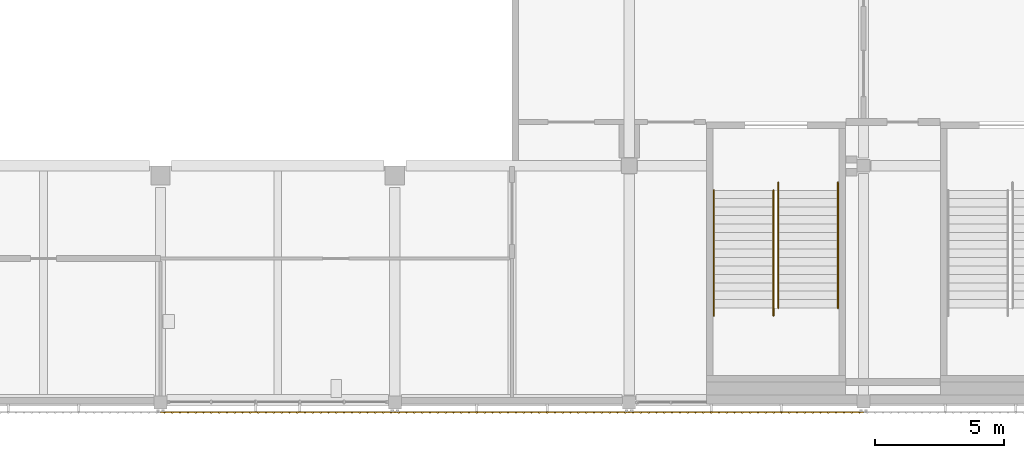
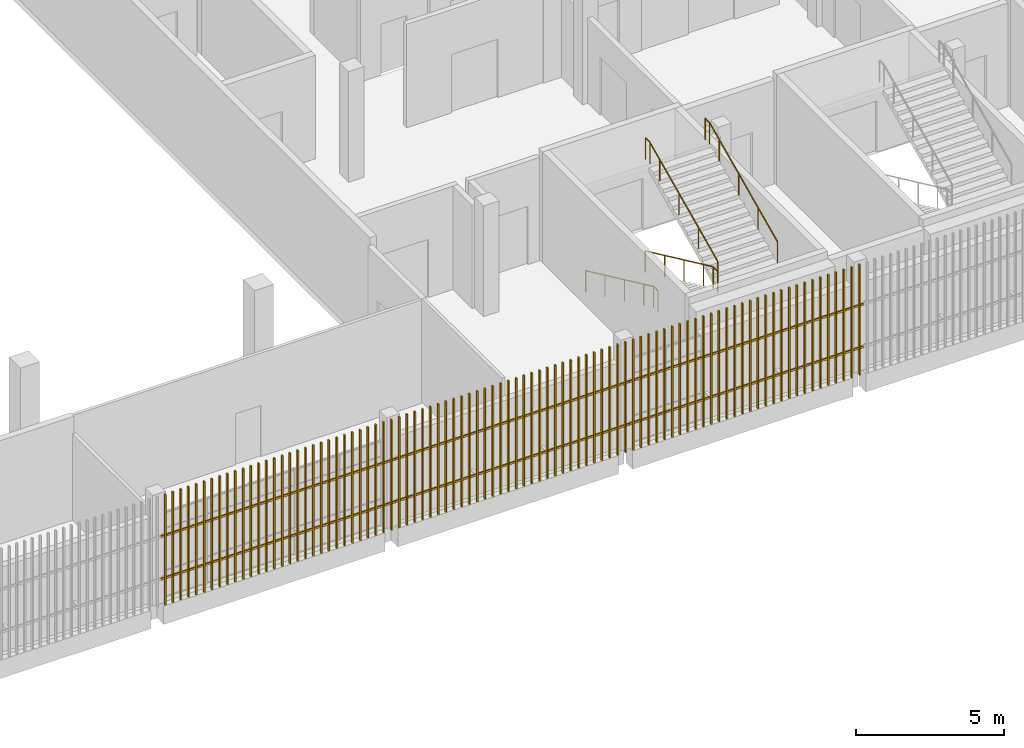
# One storey, part 108 of 124: 4 railings, 3 shading devices.
"""IFC4 building model written with IfcOpenShell, lengths in metres."""

from ifc_helpers import new_model, si_unit, direction, frame, origin, origin_2d, place, context, subcontext, project, spatial, rectangle, circle, extrude, material, type_object, element, save


model = new_model("IFC4")

# Units and contexts
model_context = context("Model", 3, precision=1e-05, world=origin(), true_north=direction((0.0, 1.0)))
body_context = subcontext(model_context, "Body", "Model", "MODEL_VIEW")
ifc_project = project(units=[si_unit("LENGTHUNIT", "METRE"), si_unit("AREAUNIT", "SQUARE_METRE"), si_unit("VOLUMEUNIT", "CUBIC_METRE"), si_unit("PLANEANGLEUNIT", "RADIAN"), si_unit("MASSUNIT", "GRAM", prefix="KILO")], contexts=[model_context])

# Site, building, storey
site_placement = place(None, origin())
site = spatial("IfcSite", under=ifc_project, at=site_placement, CompositionType="ELEMENT")
building_placement = place(site_placement, origin())
building = spatial("IfcBuilding", under=site, at=building_placement, Name="Shirokan Park Arena", CompositionType="ELEMENT")
storey_placement = place(building_placement, frame((0.0, 0.0, 20.02001953125)))
storey = spatial("IfcBuildingStorey", under=building, at=storey_placement, Name="L04", CompositionType="ELEMENT", Elevation=20.02001953125)

# Railings
ifc_material_1 = material(Name="Stainless steel", Category="steel")
railing_type = type_object("IfcRailingType", Name="Stair handrail 900", PredefinedType="HANDRAIL", material=ifc_material_1)
railing_1_placement = place(storey_placement, frame((112.489990234375, 8.14990234375, 0.151611328125)))
element("IfcRailing", 1, at=railing_1_placement, inside=storey, type_object=railing_type, Name="Handrail Exit Stair 2.D L04 to L05", PredefinedType="HANDRAIL", context=body_context, shape_type="SweptSolid", body=[
    extrude(circle(Radius=0.02392578125, at=origin_2d()), frame((0.0, 0.0, 0.8759765625), z_axis=(0.0, -0.906999720516, 0.421131222998), x_axis=(1.0, 0.0, 0.0)), (0.0, 0.0, 1.0), 1.440673828125),
    extrude(circle(Radius=0.02392578125, at=origin_2d()), frame((0.0, -1.306640625, 1.482421875), z_axis=(0.0, -0.907029769225, 0.421066500378), x_axis=(1.0, 0.0, 0.0)), (0.0, 0.0, 1.0), 1.44091796875),
    extrude(circle(Radius=0.02392578125, at=origin_2d()), frame((0.0, -2.613525390625, 2.08935546875), z_axis=(0.0, -0.907029769225, 0.421066500378), x_axis=(1.0, 0.0, 0.0)), (0.0, 0.0, 1.0), 1.44091796875),
    extrude(circle(Radius=0.02392578125, at=origin_2d()), frame((0.0, -3.92041015625, 2.69580078125), z_axis=(0.0, -0.907064445915, 0.420991794405), x_axis=(1.0, 0.0, 0.0)), (0.0, 0.0, 1.0), 0.72021484375),
    extrude(circle(Radius=0.02392578125, at=origin_2d()), frame((0.0, -4.57373046875, 2.9990234375), z_axis=(0.0, -1.0, 0.0), x_axis=(1.0, 0.0, 0.0)), (0.0, 0.0, 1.0), 0.300048828125),
    extrude(circle(Radius=0.02099609375, at=origin_2d()), origin(), (0.0, 0.0, 1.0), 0.851806640625),
    extrude(circle(Radius=0.02099609375, at=origin_2d()), frame((0.0, -1.306640625, 0.606689453125)), (0.0, 0.0, 1.0), 0.851806640625),
    extrude(circle(Radius=0.02099609375, at=origin_2d()), frame((0.0, -2.613525390625, 1.21337890625)), (0.0, 0.0, 1.0), 0.851806640625),
    extrude(circle(Radius=0.02099609375, at=origin_2d()), frame((0.0, -3.92041015625, 1.820068359375)), (0.0, 0.0, 1.0), 0.851806640625),
    extrude(circle(Radius=0.02099609375, at=origin_2d()), frame((0.0, -4.57373046875, 2.123291015625)), (0.0, 0.0, 1.0), 0.851806640625),
    extrude(circle(Radius=0.02099609375, at=origin_2d()), frame((0.0, -4.873779296875, 2.123291015625)), (0.0, 0.0, 1.0), 0.851806640625),
])
railing_2_placement = place(storey_placement, frame((114.81005859375, 8.14990234375, 0.151611328125)))
element("IfcRailing", 2, at=railing_2_placement, inside=storey, type_object=railing_type, Name="Handrail Exit Stair 2.D L04 to L05", PredefinedType="HANDRAIL", context=body_context, shape_type="SweptSolid", body=[
    extrude(circle(Radius=0.02392578125, at=origin_2d()), frame((0.0, 0.0, 0.8759765625), z_axis=(0.0, -0.906999720516, 0.421131222998), x_axis=(1.0, 0.0, 0.0)), (0.0, 0.0, 1.0), 1.440673828125),
    extrude(circle(Radius=0.02392578125, at=origin_2d()), frame((0.0, -1.306640625, 1.482421875), z_axis=(0.0, -0.907029769225, 0.421066500378), x_axis=(1.0, 0.0, 0.0)), (0.0, 0.0, 1.0), 1.44091796875),
    extrude(circle(Radius=0.02392578125, at=origin_2d()), frame((0.0, -2.613525390625, 2.08935546875), z_axis=(0.0, -0.907029769225, 0.421066500378), x_axis=(1.0, 0.0, 0.0)), (0.0, 0.0, 1.0), 1.44091796875),
    extrude(circle(Radius=0.02392578125, at=origin_2d()), frame((0.0, -3.92041015625, 2.69580078125), z_axis=(0.0, -0.907064445915, 0.420991794405), x_axis=(1.0, 0.0, 0.0)), (0.0, 0.0, 1.0), 0.72021484375),
    extrude(circle(Radius=0.02392578125, at=origin_2d()), frame((0.0, -4.57373046875, 2.9990234375), z_axis=(0.0, -1.0, 0.0), x_axis=(1.0, 0.0, 0.0)), (0.0, 0.0, 1.0), 0.300048828125),
    extrude(circle(Radius=0.02099609375, at=origin_2d()), origin(), (0.0, 0.0, 1.0), 0.851806640625),
    extrude(circle(Radius=0.02099609375, at=origin_2d()), frame((0.0, -1.306640625, 0.606689453125)), (0.0, 0.0, 1.0), 0.851806640625),
    extrude(circle(Radius=0.02099609375, at=origin_2d()), frame((0.0, -2.613525390625, 1.21337890625)), (0.0, 0.0, 1.0), 0.851806640625),
    extrude(circle(Radius=0.02099609375, at=origin_2d()), frame((0.0, -3.92041015625, 1.820068359375)), (0.0, 0.0, 1.0), 0.851806640625),
    extrude(circle(Radius=0.02099609375, at=origin_2d()), frame((0.0, -4.57373046875, 2.123291015625)), (0.0, 0.0, 1.0), 0.851806640625),
    extrude(circle(Radius=0.02099609375, at=origin_2d()), frame((0.0, -4.873779296875, 2.123291015625)), (0.0, 0.0, 1.0), 0.851806640625),
])
railing_3_placement = place(storey_placement, frame((114.989990234375, 3.576171875, 2.4267578125)))
element("IfcRailing", 3, at=railing_3_placement, inside=storey, type_object=railing_type, Name="Handrail Exit Stair 2.D L04 to L05", PredefinedType="HANDRAIL", context=body_context, shape_type="SweptSolid", body=[
    extrude(circle(Radius=0.02392578125, at=origin_2d()), frame((0.0, 0.0, 0.8759765625), z_axis=(0.0, 0.907094476872, 0.420927083981), x_axis=(-1.0, 0.0, 0.0)), (0.0, 0.0, 1.0), 1.440673828125),
    extrude(circle(Radius=0.02392578125, at=origin_2d()), frame((0.0, 1.306884765625, 1.482421875), z_axis=(0.0, 0.906999720516, 0.421131222998), x_axis=(-1.0, 0.0, 0.0)), (0.0, 0.0, 1.0), 1.440673828125),
    extrude(circle(Radius=0.02392578125, at=origin_2d()), frame((0.0, 2.613525390625, 2.0888671875), z_axis=(0.0, 0.907029769225, 0.421066500378), x_axis=(-1.0, 0.0, 0.0)), (0.0, 0.0, 1.0), 1.44091796875),
    extrude(circle(Radius=0.02392578125, at=origin_2d()), frame((0.0, 3.92041015625, 2.69580078125), z_axis=(0.0, 0.906934982928, 0.421270621741), x_axis=(-1.0, 0.0, 0.0)), (0.0, 0.0, 1.0), 0.720458984375),
    extrude(circle(Radius=0.02392578125, at=origin_2d()), frame((0.0, 4.57373046875, 2.9990234375), z_axis=(0.0, 1.0, 0.0), x_axis=(-1.0, 0.0, 0.0)), (0.0, 0.0, 1.0), 0.300048828125),
    extrude(circle(Radius=0.02099609375, at=origin_2d()), origin(), (0.0, 0.0, 1.0), 0.851806640625),
    extrude(circle(Radius=0.02099609375, at=origin_2d()), frame((0.0, 1.306884765625, 0.6064453125)), (0.0, 0.0, 1.0), 0.851806640625),
    extrude(circle(Radius=0.02099609375, at=origin_2d()), frame((0.0, 2.613525390625, 1.213134765625)), (0.0, 0.0, 1.0), 0.851806640625),
    extrude(circle(Radius=0.02099609375, at=origin_2d()), frame((0.0, 3.92041015625, 1.81982421875)), (0.0, 0.0, 1.0), 0.851806640625),
    extrude(circle(Radius=0.02099609375, at=origin_2d()), frame((0.0, 4.57373046875, 2.123291015625)), (0.0, 0.0, 1.0), 0.851806640625),
    extrude(circle(Radius=0.02099609375, at=origin_2d()), frame((0.0, 4.873779296875, 2.123291015625)), (0.0, 0.0, 1.0), 0.851806640625),
])
railing_4_placement = place(storey_placement, frame((117.31005859375, 3.576171875, 2.4267578125)))
element("IfcRailing", 4, at=railing_4_placement, inside=storey, type_object=railing_type, Name="Handrail Exit Stair 2.D L04 to L05", PredefinedType="HANDRAIL", context=body_context, shape_type="SweptSolid", body=[
    extrude(circle(Radius=0.02392578125, at=origin_2d()), frame((0.0, 0.0, 0.8759765625), z_axis=(0.0, 0.907094476872, 0.420927083981), x_axis=(-1.0, 0.0, 0.0)), (0.0, 0.0, 1.0), 1.440673828125),
    extrude(circle(Radius=0.02392578125, at=origin_2d()), frame((0.0, 1.306884765625, 1.482421875), z_axis=(0.0, 0.906999720516, 0.421131222998), x_axis=(-1.0, 0.0, 0.0)), (0.0, 0.0, 1.0), 1.440673828125),
    extrude(circle(Radius=0.02392578125, at=origin_2d()), frame((0.0, 2.613525390625, 2.0888671875), z_axis=(0.0, 0.907029769225, 0.421066500378), x_axis=(-1.0, 0.0, 0.0)), (0.0, 0.0, 1.0), 1.44091796875),
    extrude(circle(Radius=0.02392578125, at=origin_2d()), frame((0.0, 3.92041015625, 2.69580078125), z_axis=(0.0, 0.906934982928, 0.421270621741), x_axis=(-1.0, 0.0, 0.0)), (0.0, 0.0, 1.0), 0.720458984375),
    extrude(circle(Radius=0.02392578125, at=origin_2d()), frame((0.0, 4.57373046875, 2.9990234375), z_axis=(0.0, 1.0, 0.0), x_axis=(-1.0, 0.0, 0.0)), (0.0, 0.0, 1.0), 0.300048828125),
    extrude(circle(Radius=0.02099609375, at=origin_2d()), origin(), (0.0, 0.0, 1.0), 0.851806640625),
    extrude(circle(Radius=0.02099609375, at=origin_2d()), frame((0.0, 1.306884765625, 0.6064453125)), (0.0, 0.0, 1.0), 0.851806640625),
    extrude(circle(Radius=0.02099609375, at=origin_2d()), frame((0.0, 2.613525390625, 1.213134765625)), (0.0, 0.0, 1.0), 0.851806640625),
    extrude(circle(Radius=0.02099609375, at=origin_2d()), frame((0.0, 3.92041015625, 1.81982421875)), (0.0, 0.0, 1.0), 0.851806640625),
    extrude(circle(Radius=0.02099609375, at=origin_2d()), frame((0.0, 4.57373046875, 2.123291015625)), (0.0, 0.0, 1.0), 0.851806640625),
    extrude(circle(Radius=0.02099609375, at=origin_2d()), frame((0.0, 4.873779296875, 2.123291015625)), (0.0, 0.0, 1.0), 0.851806640625),
])

# Shading devices
ifc_material_2 = material(Name="Timber louvre veil (cedar)", Category="wood")
shading_device_type = type_object("IfcShadingDeviceType", Name="Timber louvre veil panel", PredefinedType="JALOUSIE", material=ifc_material_2)
shading_device_1_placement = place(storey_placement, origin())
element("IfcShadingDevice", 5, at=shading_device_1_placement, inside=storey, type_object=shading_device_type, Name="Timber louvre veil south bay 11 L04", PredefinedType="JALOUSIE", context=body_context, shape_type="SweptSolid", body=[
    extrude(rectangle(XDim=0.050048828125, YDim=0.080078125, at=origin_2d()), frame((91.151611328125, -0.485107421875, 0.0), z_axis=(0.0, 0.0, 1.0), x_axis=(1.0, 0.0, 0.0)), (0.0, 0.0, 1.0), 4.550048828125),
    extrude(rectangle(XDim=0.050048828125, YDim=0.080078125, at=origin_2d()), frame((91.455078125, -0.485107421875, 0.0), z_axis=(0.0, 0.0, 1.0), x_axis=(1.0, 0.0, 0.0)), (0.0, 0.0, 1.0), 4.550048828125),
    extrude(rectangle(XDim=0.050048828125, YDim=0.080078125, at=origin_2d()), frame((91.75830078125, -0.485107421875, 0.0), z_axis=(0.0, 0.0, 1.0), x_axis=(1.0, 0.0, 0.0)), (0.0, 0.0, 1.0), 4.550048828125),
    extrude(rectangle(XDim=0.050048828125, YDim=0.080078125, at=origin_2d()), frame((92.061767578125, -0.485107421875, 0.0), z_axis=(0.0, 0.0, 1.0), x_axis=(1.0, 0.0, 0.0)), (0.0, 0.0, 1.0), 4.550048828125),
    extrude(rectangle(XDim=0.050048828125, YDim=0.080078125, at=origin_2d()), frame((92.364990234375, -0.485107421875, 0.0), z_axis=(0.0, 0.0, 1.0), x_axis=(1.0, 0.0, 0.0)), (0.0, 0.0, 1.0), 4.550048828125),
    extrude(rectangle(XDim=0.050048828125, YDim=0.080078125, at=origin_2d()), frame((92.668212890625, -0.485107421875, 0.0), z_axis=(0.0, 0.0, 1.0), x_axis=(1.0, 0.0, 0.0)), (0.0, 0.0, 1.0), 4.550048828125),
    extrude(rectangle(XDim=0.050048828125, YDim=0.080078125, at=origin_2d()), frame((92.9716796875, -0.485107421875, 0.0), z_axis=(0.0, 0.0, 1.0), x_axis=(1.0, 0.0, 0.0)), (0.0, 0.0, 1.0), 4.550048828125),
    extrude(rectangle(XDim=0.050048828125, YDim=0.080078125, at=origin_2d()), frame((93.27490234375, -0.485107421875, 0.0), z_axis=(0.0, 0.0, 1.0), x_axis=(1.0, 0.0, 0.0)), (0.0, 0.0, 1.0), 4.550048828125),
    extrude(rectangle(XDim=0.050048828125, YDim=0.080078125, at=origin_2d()), frame((93.578369140625, -0.485107421875, 0.0), z_axis=(0.0, 0.0, 1.0), x_axis=(1.0, 0.0, 0.0)), (0.0, 0.0, 1.0), 4.550048828125),
    extrude(rectangle(XDim=0.050048828125, YDim=0.080078125, at=origin_2d()), frame((93.881591796875, -0.485107421875, 0.0), z_axis=(0.0, 0.0, 1.0), x_axis=(1.0, 0.0, 0.0)), (0.0, 0.0, 1.0), 4.550048828125),
    extrude(rectangle(XDim=0.050048828125, YDim=0.080078125, at=origin_2d()), frame((94.18505859375, -0.485107421875, 0.0), z_axis=(0.0, 0.0, 1.0), x_axis=(1.0, 0.0, 0.0)), (0.0, 0.0, 1.0), 4.550048828125),
    extrude(rectangle(XDim=0.050048828125, YDim=0.080078125, at=origin_2d()), frame((94.48828125, -0.485107421875, 0.0), z_axis=(0.0, 0.0, 1.0), x_axis=(1.0, 0.0, 0.0)), (0.0, 0.0, 1.0), 4.550048828125),
    extrude(rectangle(XDim=0.050048828125, YDim=0.080078125, at=origin_2d()), frame((94.791748046875, -0.485107421875, 0.0), z_axis=(0.0, 0.0, 1.0), x_axis=(1.0, 0.0, 0.0)), (0.0, 0.0, 1.0), 4.550048828125),
    extrude(rectangle(XDim=0.050048828125, YDim=0.080078125, at=origin_2d()), frame((95.094970703125, -0.485107421875, 0.0), z_axis=(0.0, 0.0, 1.0), x_axis=(1.0, 0.0, 0.0)), (0.0, 0.0, 1.0), 4.550048828125),
    extrude(rectangle(XDim=0.050048828125, YDim=0.080078125, at=origin_2d()), frame((95.3984375, -0.485107421875, 0.0), z_axis=(0.0, 0.0, 1.0), x_axis=(1.0, 0.0, 0.0)), (0.0, 0.0, 1.0), 4.550048828125),
    extrude(rectangle(XDim=0.050048828125, YDim=0.080078125, at=origin_2d()), frame((95.70166015625, -0.485107421875, 0.0), z_axis=(0.0, 0.0, 1.0), x_axis=(1.0, 0.0, 0.0)), (0.0, 0.0, 1.0), 4.550048828125),
    extrude(rectangle(XDim=0.050048828125, YDim=0.080078125, at=origin_2d()), frame((96.0048828125, -0.485107421875, 0.0), z_axis=(0.0, 0.0, 1.0), x_axis=(1.0, 0.0, 0.0)), (0.0, 0.0, 1.0), 4.550048828125),
    extrude(rectangle(XDim=0.050048828125, YDim=0.080078125, at=origin_2d()), frame((96.308349609375, -0.485107421875, 0.0), z_axis=(0.0, 0.0, 1.0), x_axis=(1.0, 0.0, 0.0)), (0.0, 0.0, 1.0), 4.550048828125),
    extrude(rectangle(XDim=0.050048828125, YDim=0.080078125, at=origin_2d()), frame((96.611572265625, -0.485107421875, 0.0), z_axis=(0.0, 0.0, 1.0), x_axis=(1.0, 0.0, 0.0)), (0.0, 0.0, 1.0), 4.550048828125),
    extrude(rectangle(XDim=0.050048828125, YDim=0.080078125, at=origin_2d()), frame((96.9150390625, -0.485107421875, 0.0), z_axis=(0.0, 0.0, 1.0), x_axis=(1.0, 0.0, 0.0)), (0.0, 0.0, 1.0), 4.550048828125),
    extrude(rectangle(XDim=0.050048828125, YDim=0.080078125, at=origin_2d()), frame((97.21826171875, -0.485107421875, 0.0), z_axis=(0.0, 0.0, 1.0), x_axis=(1.0, 0.0, 0.0)), (0.0, 0.0, 1.0), 4.550048828125),
    extrude(rectangle(XDim=0.050048828125, YDim=0.080078125, at=origin_2d()), frame((97.521728515625, -0.485107421875, 0.0), z_axis=(0.0, 0.0, 1.0), x_axis=(1.0, 0.0, 0.0)), (0.0, 0.0, 1.0), 4.550048828125),
    extrude(rectangle(XDim=0.050048828125, YDim=0.080078125, at=origin_2d()), frame((97.824951171875, -0.485107421875, 0.0), z_axis=(0.0, 0.0, 1.0), x_axis=(1.0, 0.0, 0.0)), (0.0, 0.0, 1.0), 4.550048828125),
    extrude(rectangle(XDim=0.050048828125, YDim=0.080078125, at=origin_2d()), frame((98.12841796875, -0.485107421875, 0.0), z_axis=(0.0, 0.0, 1.0), x_axis=(1.0, 0.0, 0.0)), (0.0, 0.0, 1.0), 4.550048828125),
    extrude(rectangle(XDim=0.050048828125, YDim=0.080078125, at=origin_2d()), frame((98.431640625, -0.485107421875, 0.0), z_axis=(0.0, 0.0, 1.0), x_axis=(1.0, 0.0, 0.0)), (0.0, 0.0, 1.0), 4.550048828125),
    extrude(rectangle(XDim=0.050048828125, YDim=0.080078125, at=origin_2d()), frame((98.735107421875, -0.485107421875, 0.0), z_axis=(0.0, 0.0, 1.0), x_axis=(1.0, 0.0, 0.0)), (0.0, 0.0, 1.0), 4.550048828125),
    extrude(rectangle(XDim=0.050048828125, YDim=0.080078125, at=origin_2d()), frame((99.038330078125, -0.485107421875, 0.0), z_axis=(0.0, 0.0, 1.0), x_axis=(1.0, 0.0, 0.0)), (0.0, 0.0, 1.0), 4.550048828125),
    extrude(rectangle(XDim=0.050048828125, YDim=0.080078125, at=origin_2d()), frame((99.341552734375, -0.485107421875, 0.0), z_axis=(0.0, 0.0, 1.0), x_axis=(1.0, 0.0, 0.0)), (0.0, 0.0, 1.0), 4.550048828125),
    extrude(rectangle(XDim=0.050048828125, YDim=0.080078125, at=origin_2d()), frame((99.64501953125, -0.485107421875, 0.0), z_axis=(0.0, 0.0, 1.0), x_axis=(1.0, 0.0, 0.0)), (0.0, 0.0, 1.0), 4.550048828125),
    extrude(rectangle(XDim=0.050048828125, YDim=0.080078125, at=origin_2d()), frame((99.9482421875, -0.485107421875, 0.0), z_axis=(0.0, 0.0, 1.0), x_axis=(1.0, 0.0, 0.0)), (0.0, 0.0, 1.0), 4.550048828125),
    extrude(rectangle(XDim=9.10009765625, YDim=0.050048828125, at=origin_2d()), frame((95.550048828125, -0.469970703125, 1.06005859375), z_axis=(0.0, 0.0, 1.0), x_axis=(1.0, 0.0, 0.0)), (0.0, 0.0, 1.0), 0.080078125),
    extrude(rectangle(XDim=9.10009765625, YDim=0.050048828125, at=origin_2d()), frame((95.550048828125, -0.469970703125, 2.81005859375), z_axis=(0.0, 0.0, 1.0), x_axis=(1.0, 0.0, 0.0)), (0.0, 0.0, 1.0), 0.080078125),
])
shading_device_2_placement = place(storey_placement, origin())
element("IfcShadingDevice", 6, at=shading_device_2_placement, inside=storey, type_object=shading_device_type, Name="Timber louvre veil south bay 12 L04", PredefinedType="JALOUSIE", context=body_context, shape_type="SweptSolid", body=[
    extrude(rectangle(XDim=0.050048828125, YDim=0.080078125, at=origin_2d()), frame((100.251708984375, -0.485107421875, 0.0), z_axis=(0.0, 0.0, 1.0), x_axis=(1.0, 0.0, 0.0)), (0.0, 0.0, 1.0), 4.550048828125),
    extrude(rectangle(XDim=0.050048828125, YDim=0.080078125, at=origin_2d()), frame((100.554931640625, -0.485107421875, 0.0), z_axis=(0.0, 0.0, 1.0), x_axis=(1.0, 0.0, 0.0)), (0.0, 0.0, 1.0), 4.550048828125),
    extrude(rectangle(XDim=0.050048828125, YDim=0.080078125, at=origin_2d()), frame((100.8583984375, -0.485107421875, 0.0), z_axis=(0.0, 0.0, 1.0), x_axis=(1.0, 0.0, 0.0)), (0.0, 0.0, 1.0), 4.550048828125),
    extrude(rectangle(XDim=0.050048828125, YDim=0.080078125, at=origin_2d()), frame((101.16162109375, -0.485107421875, 0.0), z_axis=(0.0, 0.0, 1.0), x_axis=(1.0, 0.0, 0.0)), (0.0, 0.0, 1.0), 4.550048828125),
    extrude(rectangle(XDim=0.050048828125, YDim=0.080078125, at=origin_2d()), frame((101.465087890625, -0.485107421875, 0.0), z_axis=(0.0, 0.0, 1.0), x_axis=(1.0, 0.0, 0.0)), (0.0, 0.0, 1.0), 4.550048828125),
    extrude(rectangle(XDim=0.050048828125, YDim=0.080078125, at=origin_2d()), frame((101.768310546875, -0.485107421875, 0.0), z_axis=(0.0, 0.0, 1.0), x_axis=(1.0, 0.0, 0.0)), (0.0, 0.0, 1.0), 4.550048828125),
    extrude(rectangle(XDim=0.050048828125, YDim=0.080078125, at=origin_2d()), frame((102.07177734375, -0.485107421875, 0.0), z_axis=(0.0, 0.0, 1.0), x_axis=(1.0, 0.0, 0.0)), (0.0, 0.0, 1.0), 4.550048828125),
    extrude(rectangle(XDim=0.050048828125, YDim=0.080078125, at=origin_2d()), frame((102.375, -0.485107421875, 0.0), z_axis=(0.0, 0.0, 1.0), x_axis=(1.0, 0.0, 0.0)), (0.0, 0.0, 1.0), 4.550048828125),
    extrude(rectangle(XDim=0.050048828125, YDim=0.080078125, at=origin_2d()), frame((102.67822265625, -0.485107421875, 0.0), z_axis=(0.0, 0.0, 1.0), x_axis=(1.0, 0.0, 0.0)), (0.0, 0.0, 1.0), 4.550048828125),
    extrude(rectangle(XDim=0.050048828125, YDim=0.080078125, at=origin_2d()), frame((102.981689453125, -0.485107421875, 0.0), z_axis=(0.0, 0.0, 1.0), x_axis=(1.0, 0.0, 0.0)), (0.0, 0.0, 1.0), 4.550048828125),
    extrude(rectangle(XDim=0.050048828125, YDim=0.080078125, at=origin_2d()), frame((103.284912109375, -0.485107421875, 0.0), z_axis=(0.0, 0.0, 1.0), x_axis=(1.0, 0.0, 0.0)), (0.0, 0.0, 1.0), 4.550048828125),
    extrude(rectangle(XDim=0.050048828125, YDim=0.080078125, at=origin_2d()), frame((103.58837890625, -0.485107421875, 0.0), z_axis=(0.0, 0.0, 1.0), x_axis=(1.0, 0.0, 0.0)), (0.0, 0.0, 1.0), 4.550048828125),
    extrude(rectangle(XDim=0.050048828125, YDim=0.080078125, at=origin_2d()), frame((103.8916015625, -0.485107421875, 0.0), z_axis=(0.0, 0.0, 1.0), x_axis=(1.0, 0.0, 0.0)), (0.0, 0.0, 1.0), 4.550048828125),
    extrude(rectangle(XDim=0.050048828125, YDim=0.080078125, at=origin_2d()), frame((104.195068359375, -0.485107421875, 0.0), z_axis=(0.0, 0.0, 1.0), x_axis=(1.0, 0.0, 0.0)), (0.0, 0.0, 1.0), 4.550048828125),
    extrude(rectangle(XDim=0.050048828125, YDim=0.080078125, at=origin_2d()), frame((104.498291015625, -0.485107421875, 0.0), z_axis=(0.0, 0.0, 1.0), x_axis=(1.0, 0.0, 0.0)), (0.0, 0.0, 1.0), 4.550048828125),
    extrude(rectangle(XDim=0.050048828125, YDim=0.080078125, at=origin_2d()), frame((104.8017578125, -0.485107421875, 0.0), z_axis=(0.0, 0.0, 1.0), x_axis=(1.0, 0.0, 0.0)), (0.0, 0.0, 1.0), 4.550048828125),
    extrude(rectangle(XDim=0.050048828125, YDim=0.080078125, at=origin_2d()), frame((105.10498046875, -0.485107421875, 0.0), z_axis=(0.0, 0.0, 1.0), x_axis=(1.0, 0.0, 0.0)), (0.0, 0.0, 1.0), 4.550048828125),
    extrude(rectangle(XDim=0.050048828125, YDim=0.080078125, at=origin_2d()), frame((105.408447265625, -0.485107421875, 0.0), z_axis=(0.0, 0.0, 1.0), x_axis=(1.0, 0.0, 0.0)), (0.0, 0.0, 1.0), 4.550048828125),
    extrude(rectangle(XDim=0.050048828125, YDim=0.080078125, at=origin_2d()), frame((105.711669921875, -0.485107421875, 0.0), z_axis=(0.0, 0.0, 1.0), x_axis=(1.0, 0.0, 0.0)), (0.0, 0.0, 1.0), 4.550048828125),
    extrude(rectangle(XDim=0.050048828125, YDim=0.080078125, at=origin_2d()), frame((106.014892578125, -0.485107421875, 0.0), z_axis=(0.0, 0.0, 1.0), x_axis=(1.0, 0.0, 0.0)), (0.0, 0.0, 1.0), 4.550048828125),
    extrude(rectangle(XDim=0.050048828125, YDim=0.080078125, at=origin_2d()), frame((106.318359375, -0.485107421875, 0.0), z_axis=(0.0, 0.0, 1.0), x_axis=(1.0, 0.0, 0.0)), (0.0, 0.0, 1.0), 4.550048828125),
    extrude(rectangle(XDim=0.050048828125, YDim=0.080078125, at=origin_2d()), frame((106.62158203125, -0.485107421875, 0.0), z_axis=(0.0, 0.0, 1.0), x_axis=(1.0, 0.0, 0.0)), (0.0, 0.0, 1.0), 4.550048828125),
    extrude(rectangle(XDim=0.050048828125, YDim=0.080078125, at=origin_2d()), frame((106.925048828125, -0.485107421875, 0.0), z_axis=(0.0, 0.0, 1.0), x_axis=(1.0, 0.0, 0.0)), (0.0, 0.0, 1.0), 4.550048828125),
    extrude(rectangle(XDim=0.050048828125, YDim=0.080078125, at=origin_2d()), frame((107.228271484375, -0.485107421875, 0.0), z_axis=(0.0, 0.0, 1.0), x_axis=(1.0, 0.0, 0.0)), (0.0, 0.0, 1.0), 4.550048828125),
    extrude(rectangle(XDim=0.050048828125, YDim=0.080078125, at=origin_2d()), frame((107.53173828125, -0.485107421875, 0.0), z_axis=(0.0, 0.0, 1.0), x_axis=(1.0, 0.0, 0.0)), (0.0, 0.0, 1.0), 4.550048828125),
    extrude(rectangle(XDim=0.050048828125, YDim=0.080078125, at=origin_2d()), frame((107.8349609375, -0.485107421875, 0.0), z_axis=(0.0, 0.0, 1.0), x_axis=(1.0, 0.0, 0.0)), (0.0, 0.0, 1.0), 4.550048828125),
    extrude(rectangle(XDim=0.050048828125, YDim=0.080078125, at=origin_2d()), frame((108.138427734375, -0.485107421875, 0.0), z_axis=(0.0, 0.0, 1.0), x_axis=(1.0, 0.0, 0.0)), (0.0, 0.0, 1.0), 4.550048828125),
    extrude(rectangle(XDim=0.050048828125, YDim=0.080078125, at=origin_2d()), frame((108.441650390625, -0.485107421875, 0.0), z_axis=(0.0, 0.0, 1.0), x_axis=(1.0, 0.0, 0.0)), (0.0, 0.0, 1.0), 4.550048828125),
    extrude(rectangle(XDim=0.050048828125, YDim=0.080078125, at=origin_2d()), frame((108.7451171875, -0.485107421875, 0.0), z_axis=(0.0, 0.0, 1.0), x_axis=(1.0, 0.0, 0.0)), (0.0, 0.0, 1.0), 4.550048828125),
    extrude(rectangle(XDim=0.050048828125, YDim=0.080078125, at=origin_2d()), frame((109.04833984375, -0.485107421875, 0.0), z_axis=(0.0, 0.0, 1.0), x_axis=(1.0, 0.0, 0.0)), (0.0, 0.0, 1.0), 4.550048828125),
    extrude(rectangle(XDim=9.10009765625, YDim=0.050048828125, at=origin_2d()), frame((104.64990234375, -0.469970703125, 1.06005859375), z_axis=(0.0, 0.0, 1.0), x_axis=(1.0, 0.0, 0.0)), (0.0, 0.0, 1.0), 0.080078125),
    extrude(rectangle(XDim=9.10009765625, YDim=0.050048828125, at=origin_2d()), frame((104.64990234375, -0.469970703125, 2.81005859375), z_axis=(0.0, 0.0, 1.0), x_axis=(1.0, 0.0, 0.0)), (0.0, 0.0, 1.0), 0.080078125),
])
shading_device_3_placement = place(storey_placement, origin())
element("IfcShadingDevice", 7, at=shading_device_3_placement, inside=storey, type_object=shading_device_type, Name="Timber louvre veil south bay 13 L04", PredefinedType="JALOUSIE", context=body_context, shape_type="SweptSolid", body=[
    extrude(rectangle(XDim=0.050048828125, YDim=0.080078125, at=origin_2d()), frame((109.3515625, -0.485107421875, 0.0), z_axis=(0.0, 0.0, 1.0), x_axis=(1.0, 0.0, 0.0)), (0.0, 0.0, 1.0), 4.550048828125),
    extrude(rectangle(XDim=0.050048828125, YDim=0.080078125, at=origin_2d()), frame((109.655029296875, -0.485107421875, 0.0), z_axis=(0.0, 0.0, 1.0), x_axis=(1.0, 0.0, 0.0)), (0.0, 0.0, 1.0), 4.550048828125),
    extrude(rectangle(XDim=0.050048828125, YDim=0.080078125, at=origin_2d()), frame((109.958251953125, -0.485107421875, 0.0), z_axis=(0.0, 0.0, 1.0), x_axis=(1.0, 0.0, 0.0)), (0.0, 0.0, 1.0), 4.550048828125),
    extrude(rectangle(XDim=0.050048828125, YDim=0.080078125, at=origin_2d()), frame((110.26171875, -0.485107421875, 0.0), z_axis=(0.0, 0.0, 1.0), x_axis=(1.0, 0.0, 0.0)), (0.0, 0.0, 1.0), 4.550048828125),
    extrude(rectangle(XDim=0.050048828125, YDim=0.080078125, at=origin_2d()), frame((110.56494140625, -0.485107421875, 0.0), z_axis=(0.0, 0.0, 1.0), x_axis=(1.0, 0.0, 0.0)), (0.0, 0.0, 1.0), 4.550048828125),
    extrude(rectangle(XDim=0.050048828125, YDim=0.080078125, at=origin_2d()), frame((110.868408203125, -0.485107421875, 0.0), z_axis=(0.0, 0.0, 1.0), x_axis=(1.0, 0.0, 0.0)), (0.0, 0.0, 1.0), 4.550048828125),
    extrude(rectangle(XDim=0.050048828125, YDim=0.080078125, at=origin_2d()), frame((111.171630859375, -0.485107421875, 0.0), z_axis=(0.0, 0.0, 1.0), x_axis=(1.0, 0.0, 0.0)), (0.0, 0.0, 1.0), 4.550048828125),
    extrude(rectangle(XDim=0.050048828125, YDim=0.080078125, at=origin_2d()), frame((111.47509765625, -0.485107421875, 0.0), z_axis=(0.0, 0.0, 1.0), x_axis=(1.0, 0.0, 0.0)), (0.0, 0.0, 1.0), 4.550048828125),
    extrude(rectangle(XDim=0.050048828125, YDim=0.080078125, at=origin_2d()), frame((111.7783203125, -0.485107421875, 0.0), z_axis=(0.0, 0.0, 1.0), x_axis=(1.0, 0.0, 0.0)), (0.0, 0.0, 1.0), 4.550048828125),
    extrude(rectangle(XDim=0.050048828125, YDim=0.080078125, at=origin_2d()), frame((112.081787109375, -0.485107421875, 0.0), z_axis=(0.0, 0.0, 1.0), x_axis=(1.0, 0.0, 0.0)), (0.0, 0.0, 1.0), 4.550048828125),
    extrude(rectangle(XDim=0.050048828125, YDim=0.080078125, at=origin_2d()), frame((112.385009765625, -0.485107421875, 0.0), z_axis=(0.0, 0.0, 1.0), x_axis=(1.0, 0.0, 0.0)), (0.0, 0.0, 1.0), 4.550048828125),
    extrude(rectangle(XDim=0.050048828125, YDim=0.080078125, at=origin_2d()), frame((112.688232421875, -0.485107421875, 0.0), z_axis=(0.0, 0.0, 1.0), x_axis=(1.0, 0.0, 0.0)), (0.0, 0.0, 1.0), 4.550048828125),
    extrude(rectangle(XDim=0.050048828125, YDim=0.080078125, at=origin_2d()), frame((112.99169921875, -0.485107421875, 0.0), z_axis=(0.0, 0.0, 1.0), x_axis=(1.0, 0.0, 0.0)), (0.0, 0.0, 1.0), 4.550048828125),
    extrude(rectangle(XDim=0.050048828125, YDim=0.080078125, at=origin_2d()), frame((113.294921875, -0.485107421875, 0.0), z_axis=(0.0, 0.0, 1.0), x_axis=(1.0, 0.0, 0.0)), (0.0, 0.0, 1.0), 4.550048828125),
    extrude(rectangle(XDim=0.050048828125, YDim=0.080078125, at=origin_2d()), frame((113.598388671875, -0.485107421875, 0.0), z_axis=(0.0, 0.0, 1.0), x_axis=(1.0, 0.0, 0.0)), (0.0, 0.0, 1.0), 4.550048828125),
    extrude(rectangle(XDim=0.050048828125, YDim=0.080078125, at=origin_2d()), frame((113.901611328125, -0.485107421875, 0.0), z_axis=(0.0, 0.0, 1.0), x_axis=(1.0, 0.0, 0.0)), (0.0, 0.0, 1.0), 4.550048828125),
    extrude(rectangle(XDim=0.050048828125, YDim=0.080078125, at=origin_2d()), frame((114.205078125, -0.485107421875, 0.0), z_axis=(0.0, 0.0, 1.0), x_axis=(1.0, 0.0, 0.0)), (0.0, 0.0, 1.0), 4.550048828125),
    extrude(rectangle(XDim=0.050048828125, YDim=0.080078125, at=origin_2d()), frame((114.50830078125, -0.485107421875, 0.0), z_axis=(0.0, 0.0, 1.0), x_axis=(1.0, 0.0, 0.0)), (0.0, 0.0, 1.0), 4.550048828125),
    extrude(rectangle(XDim=0.050048828125, YDim=0.080078125, at=origin_2d()), frame((114.811767578125, -0.485107421875, 0.0), z_axis=(0.0, 0.0, 1.0), x_axis=(1.0, 0.0, 0.0)), (0.0, 0.0, 1.0), 4.550048828125),
    extrude(rectangle(XDim=0.050048828125, YDim=0.080078125, at=origin_2d()), frame((115.114990234375, -0.485107421875, 0.0), z_axis=(0.0, 0.0, 1.0), x_axis=(1.0, 0.0, 0.0)), (0.0, 0.0, 1.0), 4.550048828125),
    extrude(rectangle(XDim=0.050048828125, YDim=0.080078125, at=origin_2d()), frame((115.418212890625, -0.485107421875, 0.0), z_axis=(0.0, 0.0, 1.0), x_axis=(1.0, 0.0, 0.0)), (0.0, 0.0, 1.0), 4.550048828125),
    extrude(rectangle(XDim=0.050048828125, YDim=0.080078125, at=origin_2d()), frame((115.7216796875, -0.485107421875, 0.0), z_axis=(0.0, 0.0, 1.0), x_axis=(1.0, 0.0, 0.0)), (0.0, 0.0, 1.0), 4.550048828125),
    extrude(rectangle(XDim=0.050048828125, YDim=0.080078125, at=origin_2d()), frame((116.02490234375, -0.485107421875, 0.0), z_axis=(0.0, 0.0, 1.0), x_axis=(1.0, 0.0, 0.0)), (0.0, 0.0, 1.0), 4.550048828125),
    extrude(rectangle(XDim=0.050048828125, YDim=0.080078125, at=origin_2d()), frame((116.328369140625, -0.485107421875, 0.0), z_axis=(0.0, 0.0, 1.0), x_axis=(1.0, 0.0, 0.0)), (0.0, 0.0, 1.0), 4.550048828125),
    extrude(rectangle(XDim=0.050048828125, YDim=0.080078125, at=origin_2d()), frame((116.631591796875, -0.485107421875, 0.0), z_axis=(0.0, 0.0, 1.0), x_axis=(1.0, 0.0, 0.0)), (0.0, 0.0, 1.0), 4.550048828125),
    extrude(rectangle(XDim=0.050048828125, YDim=0.080078125, at=origin_2d()), frame((116.93505859375, -0.485107421875, 0.0), z_axis=(0.0, 0.0, 1.0), x_axis=(1.0, 0.0, 0.0)), (0.0, 0.0, 1.0), 4.550048828125),
    extrude(rectangle(XDim=0.050048828125, YDim=0.080078125, at=origin_2d()), frame((117.23828125, -0.485107421875, 0.0), z_axis=(0.0, 0.0, 1.0), x_axis=(1.0, 0.0, 0.0)), (0.0, 0.0, 1.0), 4.550048828125),
    extrude(rectangle(XDim=0.050048828125, YDim=0.080078125, at=origin_2d()), frame((117.541748046875, -0.485107421875, 0.0), z_axis=(0.0, 0.0, 1.0), x_axis=(1.0, 0.0, 0.0)), (0.0, 0.0, 1.0), 4.550048828125),
    extrude(rectangle(XDim=0.050048828125, YDim=0.080078125, at=origin_2d()), frame((117.844970703125, -0.485107421875, 0.0), z_axis=(0.0, 0.0, 1.0), x_axis=(1.0, 0.0, 0.0)), (0.0, 0.0, 1.0), 4.550048828125),
    extrude(rectangle(XDim=0.050048828125, YDim=0.080078125, at=origin_2d()), frame((118.1484375, -0.485107421875, 0.0), z_axis=(0.0, 0.0, 1.0), x_axis=(1.0, 0.0, 0.0)), (0.0, 0.0, 1.0), 4.550048828125),
    extrude(rectangle(XDim=9.10009765625, YDim=0.050048828125, at=origin_2d()), frame((113.75, -0.469970703125, 1.06005859375), z_axis=(0.0, 0.0, 1.0), x_axis=(1.0, 0.0, 0.0)), (0.0, 0.0, 1.0), 0.080078125),
    extrude(rectangle(XDim=9.10009765625, YDim=0.050048828125, at=origin_2d()), frame((113.75, -0.469970703125, 2.81005859375), z_axis=(0.0, 0.0, 1.0), x_axis=(1.0, 0.0, 0.0)), (0.0, 0.0, 1.0), 0.080078125),
])

save(model, "model.ifc")
